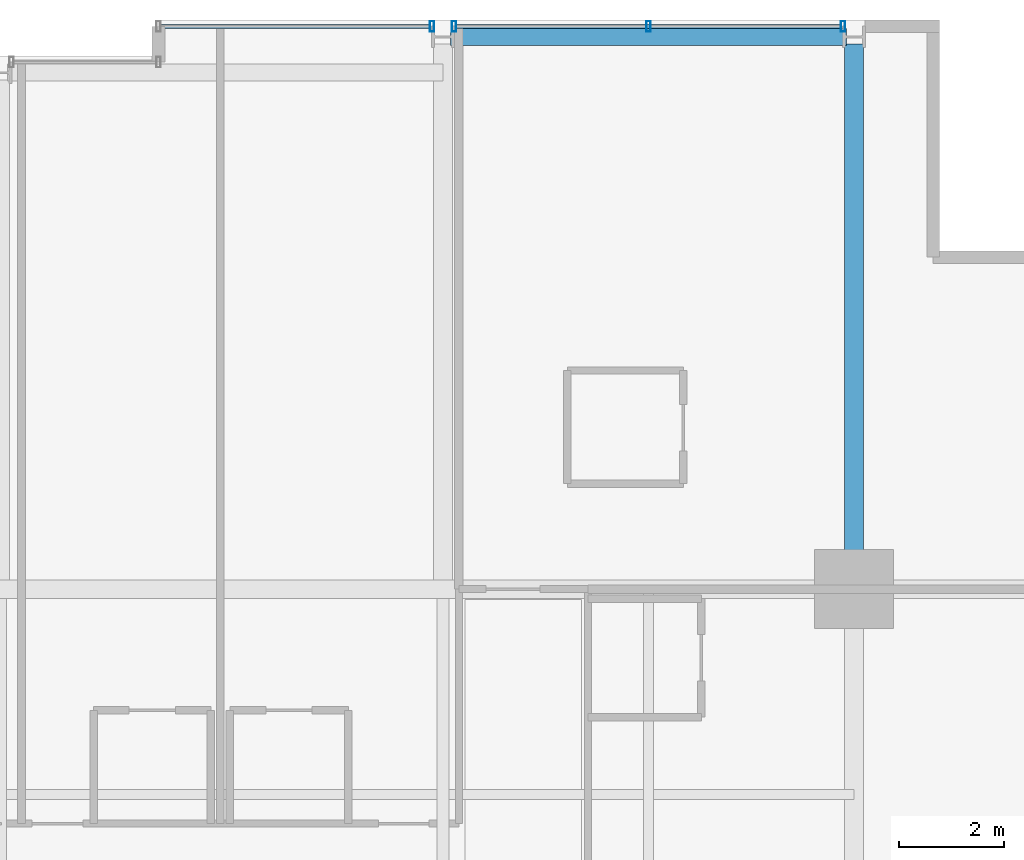
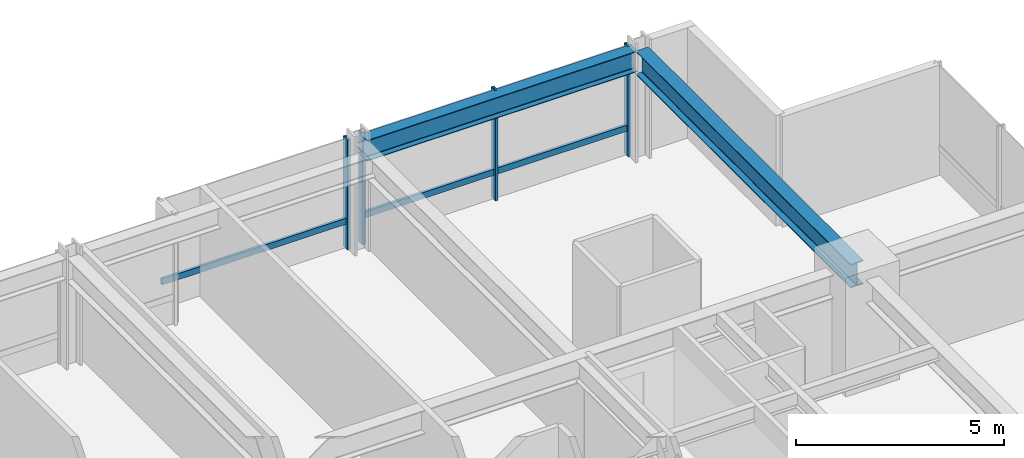
# One storey, part 25 of 34: 6 members, 2 beams, 2 elements without a shape of their own.
"""IFC4 building model written with IfcOpenShell, lengths in metres."""

from ifc_helpers import new_model, si_unit, direction, frame, origin, origin_2d, place, context, subcontext, project, spatial, hollow_rectangle, i_section, extrude, material, layer, layer_set, material_profile, profile_set, type_object, element, aggregate, save


model = new_model("IFC4")

# Units and contexts
model_context = context("Model", 3, precision=1e-05, world=origin(), true_north=direction((0.0, 1.0)))
body_context = subcontext(model_context, "Body", "Model", "MODEL_VIEW")
ifc_project = project(units=[si_unit("LENGTHUNIT", "METRE"), si_unit("AREAUNIT", "SQUARE_METRE"), si_unit("VOLUMEUNIT", "CUBIC_METRE"), si_unit("PLANEANGLEUNIT", "RADIAN"), si_unit("MASSUNIT", "GRAM", prefix="KILO")], contexts=[model_context])

# Site, building, storey
site_placement = place(None, origin())
site = spatial("IfcSite", under=ifc_project, at=site_placement, CompositionType="ELEMENT")
building_placement = place(site_placement, origin())
building = spatial("IfcBuilding", under=site, at=building_placement, Name="Drelvath Grand Hotel", CompositionType="ELEMENT")
storey_placement = place(building_placement, frame((0.0, 0.0, 133.800048828125)))
storey = spatial("IfcBuildingStorey", under=building, at=storey_placement, Name="L34", CompositionType="ELEMENT", Elevation=133.800048828125)

# Curtain wall, member
ifc_material_1 = material(Name="Champagne Bronze Anodised Aluminium Frame", Category="aluminium")
ifc_layer = layer(ifc_material_1, 0.199951171875)
ifc_layer_set = layer_set([ifc_layer], Name="Champagne Bronze Anodised Aluminium Frame")
curtain_wall_type = type_object("IfcCurtainWallType", Name="Stick Curtain Wall CW-03 Champagne Bronze Mid-Rise", PredefinedType="NOTDEFINED", material=ifc_layer_set)
curtain_wall_1_placement = place(storey_placement, origin())
curtain_wall_1 = element("IfcCurtainWall", 1, at=curtain_wall_1_placement, inside=storey, type_object=curtain_wall_type, Name="L34 CW-03 Curtain Wall CW03-L34-NE1", PredefinedType="NOTDEFINED")
ifc_material_profile_1 = material_profile(ifc_material_1, hollow_rectangle(XDim=0.074951171875, YDim=0.179931640625, WallThickness=0.0048828125, at=origin_2d()), Name="HSS180X75X5")
ifc_profile_set_1 = profile_set([ifc_material_profile_1], Name="Champagne Bronze Anodised Aluminium Frame")
member_type_1 = type_object("IfcMemberType", Name="Curtain Wall Horizontal Transom CW-03 HSS180X75X5", PredefinedType="USERDEFINED", material=ifc_profile_set_1)
member_1_placement = place(storey_placement, frame((3.0400390625, 53.8798828125, 0.81005859375), z_axis=(1.0, 0.0, 0.0), x_axis=(0.0, 1.0, 0.0)))
member_1 = element("IfcMember", 2, at=member_1_placement, type_object=member_type_1, Name="CW03-L34-NE1 Sill Transom", ObjectType="TRANSOM", PredefinedType="USERDEFINED", context=body_context, shape_type="SweptSolid", body=[
    extrude(hollow_rectangle(XDim=0.074951171875, YDim=0.179931640625, WallThickness=0.0048828125, at=origin_2d()), origin(), (0.0, 0.0, 1.0), 5.110595703125),
])

curtain_wall_2_placement = place(storey_placement, origin())
curtain_wall_2 = element("IfcCurtainWall", 3, at=curtain_wall_2_placement, inside=storey, type_object=curtain_wall_type, Name="L34 CW-03 Curtain Wall CW03-L34-NE2", PredefinedType="NOTDEFINED")
member_2_placement = place(storey_placement, frame((8.6494140625, 53.8798828125, 0.81005859375), z_axis=(1.0, 0.0, 0.0), x_axis=(0.0, 1.0, 0.0)))
member_2 = element("IfcMember", 4, at=member_2_placement, type_object=member_type_1, Name="CW03-L34-NE2 Sill Transom", ObjectType="TRANSOM", PredefinedType="USERDEFINED", context=body_context, shape_type="SweptSolid", body=[
    extrude(hollow_rectangle(XDim=0.074951171875, YDim=0.179931640625, WallThickness=0.0048828125, at=origin_2d()), origin(), (0.0, 0.0, 1.0), 7.30126953125),
])

# Member
ifc_material_profile_2 = material_profile(ifc_material_1, hollow_rectangle(XDim=0.080078125, YDim=0.199951171875, WallThickness=0.0048828125, at=origin_2d()), Name="HSS200X80X5")
ifc_profile_set_2 = profile_set([ifc_material_profile_2], Name="Champagne Bronze Anodised Aluminium Frame")
member_type_2 = type_object("IfcMemberType", Name="Curtain Wall Vertical Mullion CW-03 HSS200X80X5", PredefinedType="MULLION", material=ifc_profile_set_2)
member_3_placement = place(storey_placement, frame((8.190673828125, 53.8798828125, 0.0), z_axis=(0.0, 0.0, 1.0), x_axis=(1.0, 0.0, 0.0)))
member_3 = element("IfcMember", 5, at=member_3_placement, type_object=member_type_2, Name="CW03-L34-NE1 Mullion 2", PredefinedType="MULLION", context=body_context, shape_type="SweptSolid", body=[
    extrude(hollow_rectangle(XDim=0.080078125, YDim=0.199951171875, WallThickness=0.0048828125, at=origin_2d()), origin(), (0.0, 0.0, 1.0), 3.239990234375),
])

aggregate(curtain_wall_1, [member_3, member_1])

member_4_placement = place(storey_placement, frame((8.609375, 53.8798828125, 0.0), z_axis=(0.0, 0.0, 1.0), x_axis=(1.0, 0.0, 0.0)))
member_4 = element("IfcMember", 6, at=member_4_placement, type_object=member_type_2, Name="CW03-L34-NE2 Mullion 1", PredefinedType="MULLION", context=body_context, shape_type="SweptSolid", body=[
    extrude(hollow_rectangle(XDim=0.080078125, YDim=0.199951171875, WallThickness=0.0048828125, at=origin_2d()), origin(), (0.0, 0.0, 1.0), 3.239990234375),
])

member_5_placement = place(storey_placement, frame((12.300048828125, 53.8798828125, 0.0), z_axis=(0.0, 0.0, 1.0), x_axis=(1.0, 0.0, 0.0)))
member_5 = element("IfcMember", 7, at=member_5_placement, type_object=member_type_2, Name="CW03-L34-NE2 Mullion 2", PredefinedType="MULLION", context=body_context, shape_type="SweptSolid", body=[
    extrude(hollow_rectangle(XDim=0.080078125, YDim=0.199951171875, WallThickness=0.0048828125, at=origin_2d()), origin(), (0.0, 0.0, 1.0), 3.239990234375),
])

member_6_placement = place(storey_placement, frame((15.990478515625, 53.8798828125, 0.0), z_axis=(0.0, 0.0, 1.0), x_axis=(1.0, 0.0, 0.0)))
member_6 = element("IfcMember", 8, at=member_6_placement, type_object=member_type_2, Name="CW03-L34-NE2 Mullion 3", PredefinedType="MULLION", context=body_context, shape_type="SweptSolid", body=[
    extrude(hollow_rectangle(XDim=0.080078125, YDim=0.199951171875, WallThickness=0.0048828125, at=origin_2d()), origin(), (0.0, 0.0, 1.0), 3.239990234375),
])

aggregate(curtain_wall_2, [member_4, member_5, member_6, member_2])

# Beams
ifc_material_2 = material(Name="Steel ASTM A992 Gr 50", Category="steel")
ifc_material_profile_3 = material_profile(ifc_material_2, i_section(OverallWidth=0.323974609375, OverallDepth=0.611083984375, WebThickness=0.0126953125, FlangeThickness=0.01904296875, FilletRadius=0.02197265625, at=origin_2d()), Name="W24X104")
ifc_profile_set_3 = profile_set([ifc_material_profile_3], Name="Steel ASTM A992 Gr 50")
beam_type_1 = type_object("IfcBeamType", Name="Perimeter Spandrel Beam W24X104", PredefinedType="SPANDREL", material=ifc_profile_set_3)
beam_1_placement = place(storey_placement, frame((8.5400390625, 53.679931640625, 2.934326171875), z_axis=(1.0, 0.0, 0.0), x_axis=(0.0, 1.0, 0.0)))
element("IfcBeam", 9, at=beam_1_placement, inside=storey, type_object=beam_type_1, Name="L34 Spandrel North E", PredefinedType="SPANDREL", context=body_context, shape_type="SweptSolid", body=[
    extrude(i_section(OverallWidth=0.323974609375, OverallDepth=0.611083984375, WebThickness=0.0126953125, FlangeThickness=0.01904296875, FilletRadius=0.02197265625, at=origin_2d()), origin(), (0.0, 0.0, 1.0), 7.52001953125),
])
ifc_material_profile_4 = material_profile(ifc_material_2, i_section(OverallWidth=0.354736328125, OverallDepth=0.695556640625, WebThickness=0.015380859375, FlangeThickness=0.025146484375, FilletRadius=0.02392578125, at=origin_2d()), Name="W27X146")
ifc_profile_set_4 = profile_set([ifc_material_profile_4], Name="Steel ASTM A992 Gr 50")
beam_type_2 = type_object("IfcBeamType", Name="Primary Floor Girder W27X146", PredefinedType="BEAM", material=ifc_profile_set_4)
beam_2_placement = place(storey_placement, frame((16.199951171875, 43.199951171875, 2.892333984375), z_axis=(0.0, 1.0, 0.0), x_axis=(-1.0, 0.0, 0.0)))
element("IfcBeam", 10, at=beam_2_placement, inside=storey, type_object=beam_type_2, Name="L34 North Grid Girder 7", PredefinedType="BEAM", context=body_context, shape_type="SweptSolid", body=[
    extrude(i_section(OverallWidth=0.354736328125, OverallDepth=0.695556640625, WebThickness=0.015380859375, FlangeThickness=0.025146484375, FilletRadius=0.02392578125, at=origin_2d()), origin(), (0.0, 0.0, 1.0), 10.340087890625),
])

save(model, "model.ifc")
